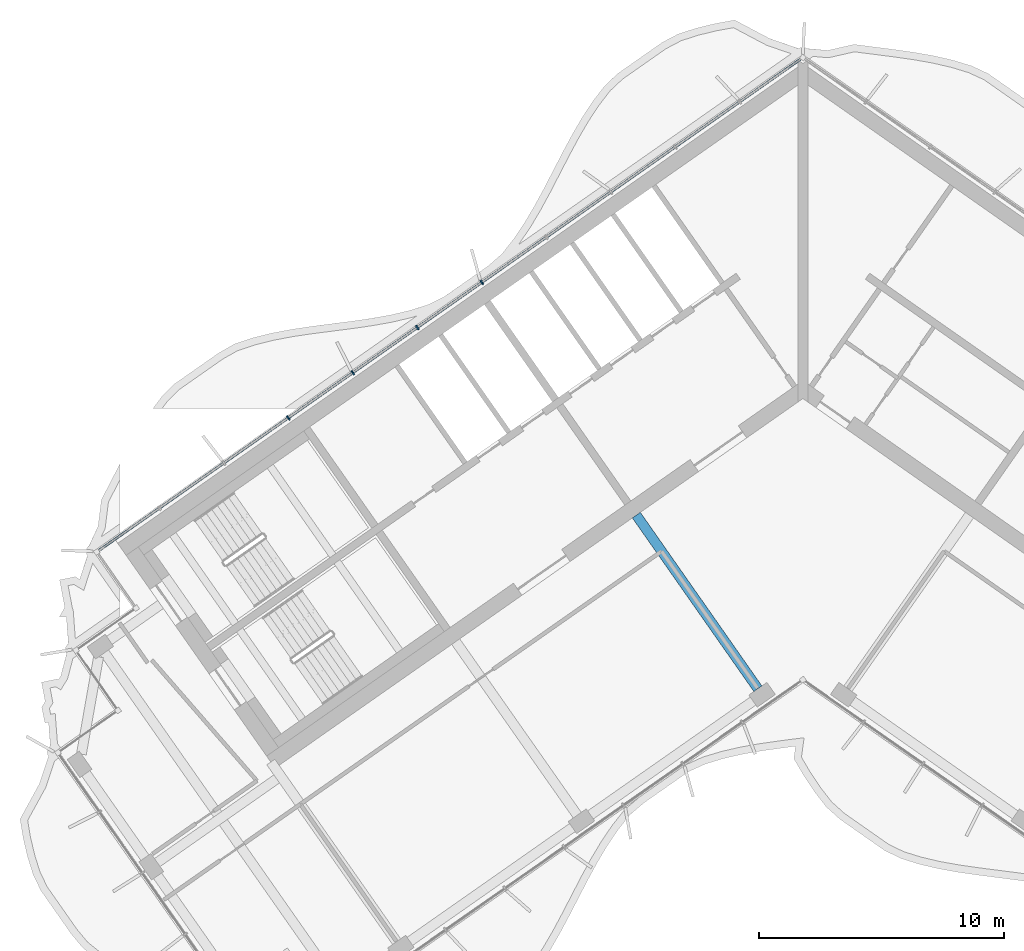
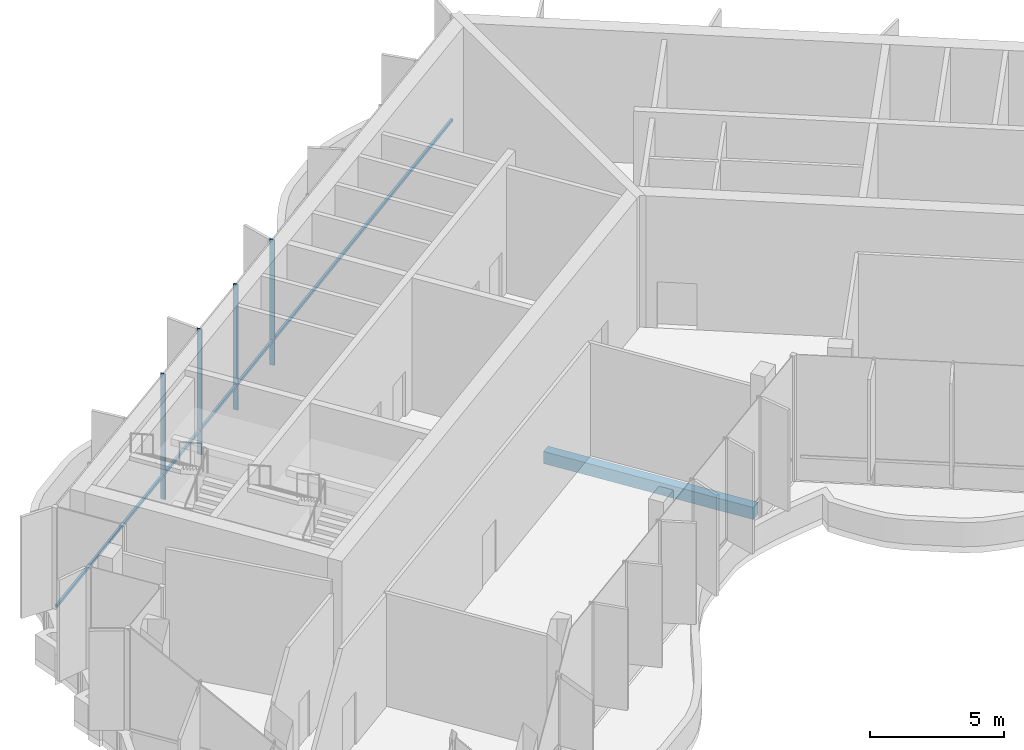
# One storey, part 3 of 18: 5 members, 1 beam, 1 element without a shape of its own.
"""IFC4 building model written with IfcOpenShell, lengths in metres."""

from ifc_helpers import new_model, si_unit, direction, frame, origin, origin_2d, place, context, subcontext, project, spatial, rectangle, extrude, material, material_profile, profile_set, type_object, element, aggregate, save


model = new_model("IFC4")

# Units and contexts
model_context = context("Model", 3, precision=1e-05, world=origin(), true_north=direction((0.0, 1.0)))
body_context = subcontext(model_context, "Body", "Model", "MODEL_VIEW")
ifc_project = project(units=[si_unit("LENGTHUNIT", "METRE"), si_unit("AREAUNIT", "SQUARE_METRE"), si_unit("VOLUMEUNIT", "CUBIC_METRE"), si_unit("PLANEANGLEUNIT", "RADIAN"), si_unit("MASSUNIT", "GRAM", prefix="KILO")], contexts=[model_context])

# Site, building, storey
site_placement = place(None, origin())
site = spatial("IfcSite", under=ifc_project, at=site_placement, CompositionType="ELEMENT")
building_placement = place(site_placement, origin())
building = spatial("IfcBuilding", under=site, at=building_placement, Name="Tel Ilan Convention Tower", CompositionType="ELEMENT")
storey_placement = place(building_placement, frame((0.0, 0.0, 307.300048828125)))
storey = spatial("IfcBuildingStorey", under=building, at=storey_placement, Name="L73", CompositionType="ELEMENT", Elevation=307.300048828125)

# Beam
ifc_material_1 = material(Name="Concrete C40/50", Category="concrete")
ifc_material_profile_1 = material_profile(ifc_material_1, rectangle(XDim=0.39990234375, YDim=0.550048828125, at=origin_2d()), Name="RC 400x550")
ifc_profile_set_1 = profile_set([ifc_material_profile_1], Name="Concrete C40/50")
beam_type = type_object("IfcBeamType", Name="Beam RC 400x550 Concrete C40/50", PredefinedType="BEAM", material=ifc_profile_set_1)
beam_placement = place(storey_placement, frame((-1.83740234375, -13.06689453125, -0.554931640625), z_axis=(-0.573574099654, 0.819153680457, 0.0), x_axis=(-0.819153680457, -0.573574099654, 0.0)))
element("IfcBeam", 1, at=beam_placement, inside=storey, type_object=beam_type, Name="L73 beam W-W-F1-core", PredefinedType="BEAM", context=body_context, shape_type="SweptSolid", body=[
    extrude(rectangle(XDim=0.39990234375, YDim=0.550048828125, at=origin_2d()), origin(), (0.0, 0.0, 1.0), 8.64990234375),
])

# Curtain wall, members
ifc_material_2 = material(Name="Aluminium, bronze anodised", Category="aluminium")
curtain_wall_type = type_object("IfcCurtainWallType", Name="CW2 STICK CURTAIN WALL, SPANDREL PANELS", PredefinedType="NOTDEFINED", material=ifc_material_2)
curtain_wall_placement = place(storey_placement, origin())
curtain_wall = element("IfcCurtainWall", 2, at=curtain_wall_placement, inside=storey, type_object=curtain_wall_type, Name="Curtain wall CW2-55.01", PredefinedType="NOTDEFINED")
ifc_material_3 = material(Name="Aluminium, bronze anodised", Category="aluminium")
ifc_material_profile_2 = material_profile(ifc_material_3, rectangle(XDim=0.06005859375, YDim=0.199951171875, at=origin_2d()), Name="CW MULLION 60x200")
ifc_profile_set_2 = profile_set([ifc_material_profile_2], Name="Aluminium, bronze anodised")
member_type_1 = type_object("IfcMemberType", Name="CW MULLION 60x200", PredefinedType="MULLION", material=ifc_profile_set_2)
member_1_placement = place(storey_placement, frame((-13.105712890625, 3.519287109375, 0.0), z_axis=(0.0, 0.0, 1.0), x_axis=(-0.819152044289, -0.573576436351, 0.0)))
member_1 = element("IfcMember", 3, at=member_1_placement, type_object=member_type_1, Name="Mullion", PredefinedType="MULLION", context=body_context, shape_type="SweptSolid", body=[
    extrude(rectangle(XDim=0.06005859375, YDim=0.199951171875, at=origin_2d()), origin(), (0.0, 0.0, 1.0), 5.719970703125),
])
member_2_placement = place(storey_placement, frame((-15.73828125, 1.676025390625, 0.0), z_axis=(0.0, 0.0, 1.0), x_axis=(-0.819152044289, -0.573576436351, 0.0)))
member_2 = element("IfcMember", 4, at=member_2_placement, type_object=member_type_1, Name="Mullion", PredefinedType="MULLION", context=body_context, shape_type="SweptSolid", body=[
    extrude(rectangle(XDim=0.06005859375, YDim=0.199951171875, at=origin_2d()), origin(), (0.0, 0.0, 1.0), 5.719970703125),
])
member_3_placement = place(storey_placement, frame((-18.37109375, -0.16748046875, 0.0), z_axis=(0.0, 0.0, 1.0), x_axis=(-0.819152044289, -0.573576436351, 0.0)))
member_3 = element("IfcMember", 5, at=member_3_placement, type_object=member_type_1, Name="Mullion", PredefinedType="MULLION", context=body_context, shape_type="SweptSolid", body=[
    extrude(rectangle(XDim=0.06005859375, YDim=0.199951171875, at=origin_2d()), origin(), (0.0, 0.0, 1.0), 5.719970703125),
])
member_4_placement = place(storey_placement, frame((-21.003662109375, -2.0107421875, 0.0), z_axis=(0.0, 0.0, 1.0), x_axis=(-0.819152044289, -0.573576436351, 0.0)))
member_4 = element("IfcMember", 6, at=member_4_placement, type_object=member_type_1, Name="Mullion", PredefinedType="MULLION", context=body_context, shape_type="SweptSolid", body=[
    extrude(rectangle(XDim=0.06005859375, YDim=0.199951171875, at=origin_2d()), origin(), (0.0, 0.0, 1.0), 5.719970703125),
])
ifc_material_4 = material(Name="Aluminium, bronze anodised", Category="aluminium")
ifc_material_profile_3 = material_profile(ifc_material_4, rectangle(XDim=0.10009765625, YDim=0.1201171875, at=origin_2d()), Name="CW TRANSOM 100x120")
ifc_profile_set_3 = profile_set([ifc_material_profile_3], Name="Aluminium, bronze anodised")
member_type_2 = type_object("IfcMemberType", Name="CW TRANSOM 100x120", PredefinedType="USERDEFINED", material=ifc_profile_set_3)
member_5_placement = place(storey_placement, frame((-0.1064453125, 12.62158203125, 1.099853515625), z_axis=(-0.819150201937, -0.573579067494, 0.0), x_axis=(0.573579067494, -0.819150201937, 0.0)))
member_5 = element("IfcMember", 7, at=member_5_placement, type_object=member_type_2, Name="Transom", ObjectType="TRANSOM", PredefinedType="USERDEFINED", context=body_context, shape_type="SweptSolid", body=[
    extrude(rectangle(XDim=0.10009765625, YDim=0.1201171875, at=origin_2d()), origin(), (0.0, 0.0, 1.0), 34.9521484375),
])
aggregate(curtain_wall, [member_1, member_2, member_3, member_4, member_5])

save(model, "model.ifc")
